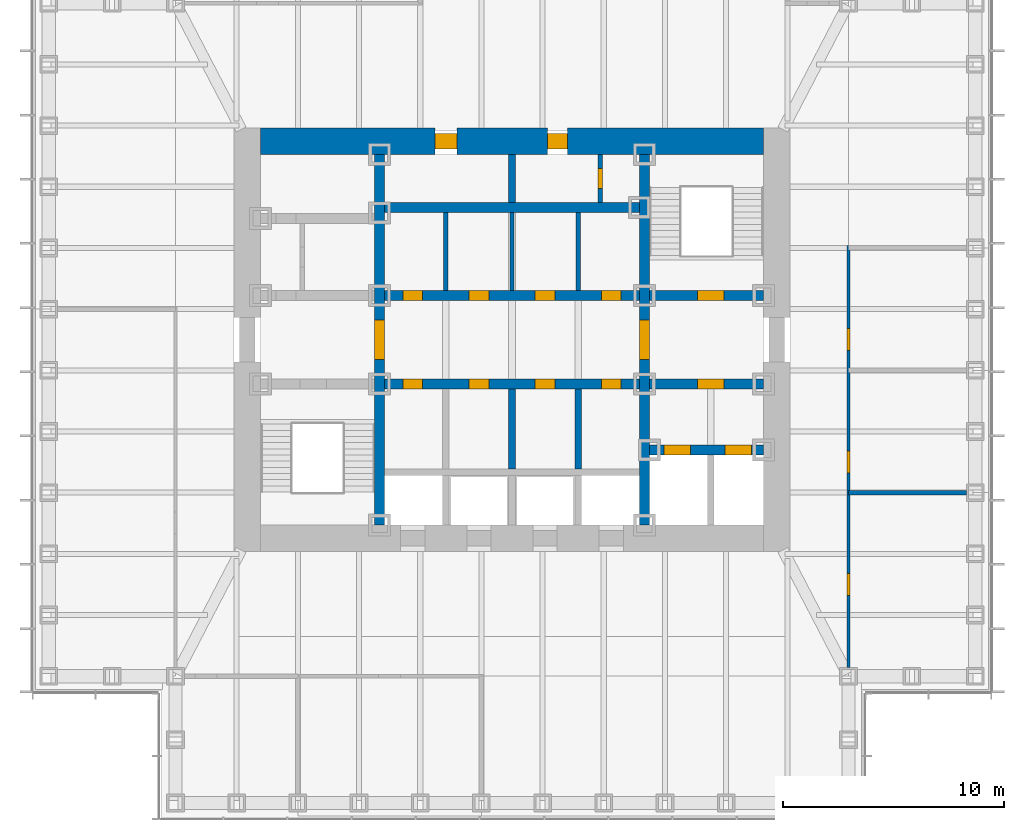
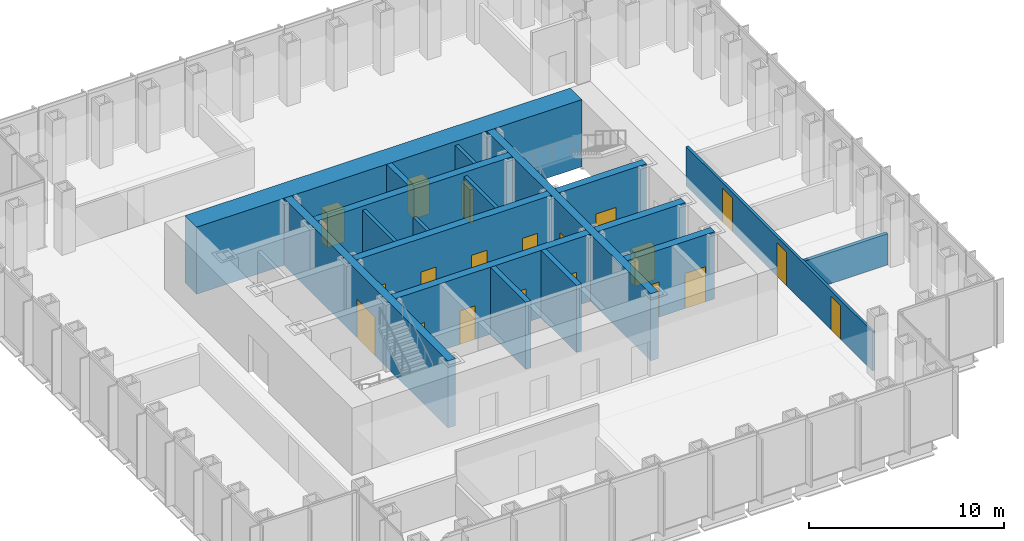
# One storey, part 9 of 16: 20 doors, 18 walls, 20 openings.
"""IFC4 building model written with IfcOpenShell, lengths in metres."""

from ifc_helpers import new_model, si_unit, direction, frame, frame_2d, origin, place, context, subcontext, project, spatial, rectangle, extrude, material, layer, layer_set, type_object, element, fill, save


model = new_model("IFC4")

# Units and contexts
model_context = context("Model", 3, precision=1e-05, world=origin(), true_north=direction((0.0, 1.0)))
body_context = subcontext(model_context, "Body", "Model", "MODEL_VIEW")
ifc_project = project(units=[si_unit("LENGTHUNIT", "METRE"), si_unit("AREAUNIT", "SQUARE_METRE"), si_unit("VOLUMEUNIT", "CUBIC_METRE"), si_unit("PLANEANGLEUNIT", "RADIAN"), si_unit("MASSUNIT", "GRAM", prefix="KILO")], contexts=[model_context])

# Site, building, storey
site_placement = place(None, origin())
site = spatial("IfcSite", under=ifc_project, at=site_placement, CompositionType="ELEMENT")
building_placement = place(site_placement, origin())
building = spatial("IfcBuilding", under=site, at=building_placement, Name="Daluyong Arena Tower", CompositionType="ELEMENT")
storey_placement = place(building_placement, frame((0.0, 0.0, 275.5)))
storey = spatial("IfcBuildingStorey", under=building, at=storey_placement, Name="L62", CompositionType="ELEMENT", Elevation=275.5)

# Wall, opening, door
ifc_material_1 = material(Name="Concrete fc' 45 MPa", Category="concrete")
ifc_layer_1 = layer(ifc_material_1, 0.449951171875)
ifc_layer_set_1 = layer_set([ifc_layer_1], Name="Concrete fc' 45 MPa")
wall_type_1 = type_object("IfcWallType", Name="Core inner wall 450", PredefinedType="SHEAR", material=ifc_layer_set_1)
wall_1_placement = place(storey_placement, frame((50.0, 71.60009765625, 0.0), z_axis=(0.0, 0.0, 1.0), x_axis=(0.0, 1.0, 0.0)))
wall_1 = element("IfcWall", 1, at=wall_1_placement, inside=storey, type_object=wall_type_1, Name="core inner wall at L62", PredefinedType="SHEAR", context=body_context, shape_type="SweptSolid", body=[
    extrude(rectangle(XDim=16.7998046875, YDim=0.449951171875, at=frame_2d((8.39990234375, 0.0))), origin(), (0.0, 0.0, 1.0), 4.199951171875),
])
opening_1_placement = place(wall_1_placement, frame((7.5, 0.0, 0.0)))
opening_1 = element("IfcOpeningElement", 2, at=opening_1_placement, cuts=wall_1, Name="Opening 62019", PredefinedType="OPENING", context=body_context, shape_type="SweptSolid", body=[
    extrude(rectangle(XDim=1.800048828125, YDim=2.39990234375, at=frame_2d((0.89990234375, 1.199951171875))), frame((0.0, 0.23486328125, 0.0), z_axis=(0.0, -1.0, 0.0), x_axis=(1.0, 0.0, 0.0)), (0.0, 0.0, 1.0), 0.469970703125),
])
ifc_material_2 = material(Name="Steel door, fire rated", Category="steel")
door_type_1 = type_object("IfcDoorType", Name="Lift lobby opening door 1800", OperationType="DOUBLE_DOOR_SINGLE_SWING", PredefinedType="DOOR", material=ifc_material_2)
door_1_placement = place(opening_1_placement, origin())
door_1 = element("IfcDoor", 3, at=door_1_placement, inside=storey, type_object=door_type_1, Name="lift lobby door west 62019", OperationType="DOUBLE_DOOR_SINGLE_SWING", OverallHeight=2.39990234375, OverallWidth=1.800048828125, PredefinedType="DOOR", context=body_context, shape_type="SweptSolid", body=[
    extrude(rectangle(XDim=1.800048828125, YDim=2.39990234375, at=frame_2d((0.89990234375, 1.199951171875))), frame((0.0, 0.224609375, 0.0), z_axis=(0.0, -1.0, 0.0), x_axis=(1.0, 0.0, 0.0)), (0.0, 0.0, 1.0), 0.449462890625),
])
fill(opening_1, door_1)

wall_2_placement = place(storey_placement, frame((62.0, 71.60009765625, 0.0), z_axis=(0.0, 0.0, 1.0), x_axis=(0.0, 1.0, 0.0)))
wall_2 = element("IfcWall", 4, at=wall_2_placement, inside=storey, type_object=wall_type_1, Name="core inner wall at L62", PredefinedType="SHEAR", context=body_context, shape_type="SweptSolid", body=[
    extrude(rectangle(XDim=16.7998046875, YDim=0.449951171875, at=frame_2d((8.39990234375, 0.0))), origin(), (0.0, 0.0, 1.0), 4.199951171875),
])
opening_2_placement = place(wall_2_placement, frame((7.5, 0.0, 0.0)))
opening_2 = element("IfcOpeningElement", 5, at=opening_2_placement, cuts=wall_2, Name="Opening 62020", PredefinedType="OPENING", context=body_context, shape_type="SweptSolid", body=[
    extrude(rectangle(XDim=1.800048828125, YDim=2.39990234375, at=frame_2d((0.89990234375, 1.199951171875))), frame((0.0, 0.23486328125, 0.0), z_axis=(0.0, -1.0, 0.0), x_axis=(1.0, 0.0, 0.0)), (0.0, 0.0, 1.0), 0.469970703125),
])
door_2_placement = place(opening_2_placement, origin())
door_2 = element("IfcDoor", 6, at=door_2_placement, inside=storey, type_object=door_type_1, Name="lift lobby door east 62020", OperationType="DOUBLE_DOOR_SINGLE_SWING", OverallHeight=2.39990234375, OverallWidth=1.800048828125, PredefinedType="DOOR", context=body_context, shape_type="SweptSolid", body=[
    extrude(rectangle(XDim=1.800048828125, YDim=2.39990234375, at=frame_2d((0.89990234375, 1.199951171875))), frame((0.0, 0.224609375, 0.0), z_axis=(0.0, -1.0, 0.0), x_axis=(1.0, 0.0, 0.0)), (0.0, 0.0, 1.0), 0.449462890625),
])
fill(opening_2, door_2)

# Wall, openings, doors
wall_3_placement = place(storey_placement, frame((62.22509765625, 75.0, 0.0), z_axis=(0.0, 0.0, 1.0), x_axis=(1.0, 0.0, 0.0)))
wall_3 = element("IfcWall", 7, at=wall_3_placement, inside=storey, type_object=wall_type_1, Name="core inner wall at L62", PredefinedType="SHEAR", context=body_context, shape_type="SweptSolid", body=[
    extrude(rectangle(XDim=5.1748046875, YDim=0.449951171875, at=frame_2d((2.58740234375, 0.0))), origin(), (0.0, 0.0, 1.0), 4.199951171875),
])
opening_3_placement = place(wall_3_placement, frame((0.675048828125, 0.0, 0.0)))
opening_3 = element("IfcOpeningElement", 8, at=opening_3_placement, cuts=wall_3, Name="Opening 62026", PredefinedType="OPENING", context=body_context, shape_type="SweptSolid", body=[
    extrude(rectangle(XDim=1.199951171875, YDim=2.199951171875, at=frame_2d((0.60009765625, 1.10009765625))), frame((0.0, 0.23486328125, 0.0), z_axis=(0.0, -1.0, 0.0), x_axis=(1.0, 0.0, 0.0)), (0.0, 0.0, 1.0), 0.469970703125),
])
opening_4_placement = place(wall_3_placement, frame((3.425048828125, 0.0, 0.0)))
opening_4 = element("IfcOpeningElement", 9, at=opening_4_placement, cuts=wall_3, Name="Opening 62027", PredefinedType="OPENING", context=body_context, shape_type="SweptSolid", body=[
    extrude(rectangle(XDim=1.199951171875, YDim=2.199951171875, at=frame_2d((0.60009765625, 1.10009765625))), frame((0.0, 0.23486328125, 0.0), z_axis=(0.0, -1.0, 0.0), x_axis=(1.0, 0.0, 0.0)), (0.0, 0.0, 1.0), 0.469970703125),
])
ifc_material_3 = material(Name="Steel door, fire rated", Category="steel")
door_type_2 = type_object("IfcDoorType", Name="Firefighting lift landing door 1200", OperationType="SLIDING_TO_LEFT", PredefinedType="DOOR", material=ifc_material_3)
door_3_placement = place(opening_3_placement, origin())
door_3 = element("IfcDoor", 10, at=door_3_placement, inside=storey, type_object=door_type_2, Name="firefighting lift landing door F1 62026", OperationType="SLIDING_TO_LEFT", OverallHeight=2.199951171875, OverallWidth=1.199951171875, PredefinedType="DOOR", context=body_context, shape_type="SweptSolid", body=[
    extrude(rectangle(XDim=1.199951171875, YDim=2.199951171875, at=frame_2d((0.60009765625, 1.10009765625))), frame((0.0, 0.224609375, 0.0), z_axis=(0.0, -1.0, 0.0), x_axis=(1.0, 0.0, 0.0)), (0.0, 0.0, 1.0), 0.449462890625),
])
fill(opening_3, door_3)
door_4_placement = place(opening_4_placement, origin())
door_4 = element("IfcDoor", 11, at=door_4_placement, inside=storey, type_object=door_type_2, Name="firefighting lift landing door F2 62027", OperationType="SLIDING_TO_LEFT", OverallHeight=2.199951171875, OverallWidth=1.199951171875, PredefinedType="DOOR", context=body_context, shape_type="SweptSolid", body=[
    extrude(rectangle(XDim=1.199951171875, YDim=2.199951171875, at=frame_2d((0.60009765625, 1.10009765625))), frame((0.0, 0.224609375, 0.0), z_axis=(0.0, -1.0, 0.0), x_axis=(1.0, 0.0, 0.0)), (0.0, 0.0, 1.0), 0.449462890625),
])
fill(opening_4, door_4)

# Wall, opening, door
wall_4_placement = place(storey_placement, frame((62.22509765625, 78.0, 0.0), z_axis=(0.0, 0.0, 1.0), x_axis=(1.0, 0.0, 0.0)))
wall_4 = element("IfcWall", 12, at=wall_4_placement, inside=storey, type_object=wall_type_1, Name="core inner wall at L62", PredefinedType="SHEAR", context=body_context, shape_type="SweptSolid", body=[
    extrude(rectangle(XDim=5.1748046875, YDim=0.449951171875, at=frame_2d((2.58740234375, 0.0))), origin(), (0.0, 0.0, 1.0), 4.199951171875),
])
opening_5_placement = place(wall_4_placement, frame((2.175048828125, 0.0, 0.0)))
opening_5 = element("IfcOpeningElement", 13, at=opening_5_placement, cuts=wall_4, Name="Opening 62021", PredefinedType="OPENING", context=body_context, shape_type="SweptSolid", body=[
    extrude(rectangle(XDim=1.199951171875, YDim=2.10009765625, at=frame_2d((0.60009765625, 1.050048828125))), frame((0.0, 0.23486328125, 0.0), z_axis=(0.0, -1.0, 0.0), x_axis=(1.0, 0.0, 0.0)), (0.0, 0.0, 1.0), 0.469970703125),
])
ifc_material_4 = material(Name="Steel door, fire rated", Category="steel")
door_type_3 = type_object("IfcDoorType", Name="Firefighting lobby door 1200", OperationType="SINGLE_SWING_RIGHT", PredefinedType="DOOR", material=ifc_material_4)
door_5_placement = place(opening_5_placement, origin())
door_5 = element("IfcDoor", 14, at=door_5_placement, inside=storey, type_object=door_type_3, Name="firefighting lobby door 62021", OperationType="SINGLE_SWING_RIGHT", OverallHeight=2.10009765625, OverallWidth=1.199951171875, PredefinedType="DOOR", context=body_context, shape_type="SweptSolid", body=[
    extrude(rectangle(XDim=1.199951171875, YDim=2.10009765625, at=frame_2d((0.60009765625, 1.050048828125))), frame((0.0, 0.224609375, 0.0), z_axis=(0.0, -1.0, 0.0), x_axis=(1.0, 0.0, 0.0)), (0.0, 0.0, 1.0), 0.449462890625),
])
fill(opening_5, door_5)

wall_5_placement = place(storey_placement, frame((62.22509765625, 82.0, 0.0), z_axis=(0.0, 0.0, 1.0), x_axis=(1.0, 0.0, 0.0)))
wall_5 = element("IfcWall", 15, at=wall_5_placement, inside=storey, type_object=wall_type_1, Name="core inner wall at L62", PredefinedType="SHEAR", context=body_context, shape_type="SweptSolid", body=[
    extrude(rectangle(XDim=5.1748046875, YDim=0.449951171875, at=frame_2d((2.58740234375, 0.0))), origin(), (0.0, 0.0, 1.0), 4.199951171875),
])
opening_6_placement = place(wall_5_placement, frame((2.175048828125, 0.0, 0.0)))
opening_6 = element("IfcOpeningElement", 16, at=opening_6_placement, cuts=wall_5, Name="Opening 62016", PredefinedType="OPENING", context=body_context, shape_type="SweptSolid", body=[
    extrude(rectangle(XDim=1.199951171875, YDim=2.10009765625, at=frame_2d((0.60009765625, 1.050048828125))), frame((0.0, 0.23486328125, 0.0), z_axis=(0.0, -1.0, 0.0), x_axis=(1.0, 0.0, 0.0)), (0.0, 0.0, 1.0), 0.469970703125),
])
ifc_material_5 = material(Name="Steel door, fire rated", Category="steel")
door_type_4 = type_object("IfcDoorType", Name="Stair door 1200", OperationType="SINGLE_SWING_LEFT", PredefinedType="DOOR", material=ifc_material_5)
door_6_placement = place(opening_6_placement, origin())
door_6 = element("IfcDoor", 17, at=door_6_placement, inside=storey, type_object=door_type_4, Name="stair B door 62016", OperationType="SINGLE_SWING_LEFT", OverallHeight=2.10009765625, OverallWidth=1.199951171875, PredefinedType="DOOR", context=body_context, shape_type="SweptSolid", body=[
    extrude(rectangle(XDim=1.199951171875, YDim=2.10009765625, at=frame_2d((0.60009765625, 1.050048828125))), frame((0.0, 0.224609375, 0.0), z_axis=(0.0, -1.0, 0.0), x_axis=(1.0, 0.0, 0.0)), (0.0, 0.0, 1.0), 0.449462890625),
])
fill(opening_6, door_6)

# Wall, openings, doors
wall_6_placement = place(storey_placement, frame((50.22509765625, 78.0, 0.0), z_axis=(0.0, 0.0, 1.0), x_axis=(1.0, 0.0, 0.0)))
wall_6 = element("IfcWall", 18, at=wall_6_placement, inside=storey, type_object=wall_type_1, Name="core inner wall at L62", PredefinedType="SHEAR", context=body_context, shape_type="SweptSolid", body=[
    extrude(rectangle(XDim=11.5498046875, YDim=0.449951171875, at=frame_2d((5.77490234375, 0.0))), origin(), (0.0, 0.0, 1.0), 4.199951171875),
])
opening_7_placement = place(wall_6_placement, frame((0.824951171875, 0.0, 0.0)))
opening_7 = element("IfcOpeningElement", 19, at=opening_7_placement, cuts=wall_6, Name="Opening 62007", PredefinedType="OPENING", context=body_context, shape_type="SweptSolid", body=[
    extrude(rectangle(XDim=0.89990234375, YDim=2.10009765625, at=frame_2d((0.449951171875, 1.050048828125))), frame((0.0, 0.23486328125, 0.0), z_axis=(0.0, -1.0, 0.0), x_axis=(1.0, 0.0, 0.0)), (0.0, 0.0, 1.0), 0.469970703125),
])
opening_8_placement = place(wall_6_placement, frame((3.824951171875, 0.0, 0.0)))
opening_8 = element("IfcOpeningElement", 20, at=opening_8_placement, cuts=wall_6, Name="Opening 62008", PredefinedType="OPENING", context=body_context, shape_type="SweptSolid", body=[
    extrude(rectangle(XDim=0.89990234375, YDim=2.10009765625, at=frame_2d((0.449951171875, 1.050048828125))), frame((0.0, 0.23486328125, 0.0), z_axis=(0.0, -1.0, 0.0), x_axis=(1.0, 0.0, 0.0)), (0.0, 0.0, 1.0), 0.469970703125),
])
opening_9_placement = place(wall_6_placement, frame((6.824951171875, 0.0, 0.0)))
opening_9 = element("IfcOpeningElement", 21, at=opening_9_placement, cuts=wall_6, Name="Opening 62009", PredefinedType="OPENING", context=body_context, shape_type="SweptSolid", body=[
    extrude(rectangle(XDim=0.89990234375, YDim=2.10009765625, at=frame_2d((0.449951171875, 1.050048828125))), frame((0.0, 0.23486328125, 0.0), z_axis=(0.0, -1.0, 0.0), x_axis=(1.0, 0.0, 0.0)), (0.0, 0.0, 1.0), 0.469970703125),
])
opening_10_placement = place(wall_6_placement, frame((9.824951171875, 0.0, 0.0)))
opening_10 = element("IfcOpeningElement", 22, at=opening_10_placement, cuts=wall_6, Name="Opening 62010", PredefinedType="OPENING", context=body_context, shape_type="SweptSolid", body=[
    extrude(rectangle(XDim=0.89990234375, YDim=2.10009765625, at=frame_2d((0.449951171875, 1.050048828125))), frame((0.0, 0.23486328125, 0.0), z_axis=(0.0, -1.0, 0.0), x_axis=(1.0, 0.0, 0.0)), (0.0, 0.0, 1.0), 0.469970703125),
])
ifc_material_6 = material(Name="Steel door, fire rated", Category="steel")
door_type_5 = type_object("IfcDoorType", Name="Core room door 900", OperationType="SINGLE_SWING_LEFT", PredefinedType="DOOR", material=ifc_material_6)
door_7_placement = place(opening_7_placement, origin())
door_7 = element("IfcDoor", 23, at=door_7_placement, inside=storey, type_object=door_type_5, Name="print room door 62007", OperationType="SINGLE_SWING_LEFT", OverallHeight=2.10009765625, OverallWidth=0.89990234375, PredefinedType="DOOR", context=body_context, shape_type="SweptSolid", body=[
    extrude(rectangle(XDim=0.89990234375, YDim=2.10009765625, at=frame_2d((0.449951171875, 1.050048828125))), frame((0.0, 0.224609375, 0.0), z_axis=(0.0, -1.0, 0.0), x_axis=(1.0, 0.0, 0.0)), (0.0, 0.0, 1.0), 0.449462890625),
])
fill(opening_7, door_7)
door_8_placement = place(opening_10_placement, origin())
door_8 = element("IfcDoor", 24, at=door_8_placement, inside=storey, type_object=door_type_5, Name="tea point door 62010", OperationType="SINGLE_SWING_LEFT", OverallHeight=2.10009765625, OverallWidth=0.89990234375, PredefinedType="DOOR", context=body_context, shape_type="SweptSolid", body=[
    extrude(rectangle(XDim=0.89990234375, YDim=2.10009765625, at=frame_2d((0.449951171875, 1.050048828125))), frame((0.0, 0.224609375, 0.0), z_axis=(0.0, -1.0, 0.0), x_axis=(1.0, 0.0, 0.0)), (0.0, 0.0, 1.0), 0.449462890625),
])
fill(opening_10, door_8)
ifc_material_7 = material(Name="Steel door, fire rated", Category="steel")
door_type_6 = type_object("IfcDoorType", Name="Core store door 900", OperationType="SINGLE_SWING_LEFT", PredefinedType="DOOR", material=ifc_material_7)
door_9_placement = place(opening_8_placement, origin())
door_9 = element("IfcDoor", 25, at=door_9_placement, inside=storey, type_object=door_type_6, Name="furniture store door 62008", OperationType="SINGLE_SWING_LEFT", OverallHeight=2.10009765625, OverallWidth=0.89990234375, PredefinedType="DOOR", context=body_context, shape_type="SweptSolid", body=[
    extrude(rectangle(XDim=0.89990234375, YDim=2.10009765625, at=frame_2d((0.449951171875, 1.050048828125))), frame((0.0, 0.224609375, 0.0), z_axis=(0.0, -1.0, 0.0), x_axis=(1.0, 0.0, 0.0)), (0.0, 0.0, 1.0), 0.449462890625),
])
fill(opening_8, door_9)
door_10_placement = place(opening_9_placement, origin())
door_10 = element("IfcDoor", 26, at=door_10_placement, inside=storey, type_object=door_type_6, Name="security store door 62009", OperationType="SINGLE_SWING_LEFT", OverallHeight=2.10009765625, OverallWidth=0.89990234375, PredefinedType="DOOR", context=body_context, shape_type="SweptSolid", body=[
    extrude(rectangle(XDim=0.89990234375, YDim=2.10009765625, at=frame_2d((0.449951171875, 1.050048828125))), frame((0.0, 0.224609375, 0.0), z_axis=(0.0, -1.0, 0.0), x_axis=(1.0, 0.0, 0.0)), (0.0, 0.0, 1.0), 0.449462890625),
])
fill(opening_9, door_10)

wall_7_placement = place(storey_placement, frame((50.22509765625, 82.0, 0.0), z_axis=(0.0, 0.0, 1.0), x_axis=(1.0, 0.0, 0.0)))
wall_7 = element("IfcWall", 27, at=wall_7_placement, inside=storey, type_object=wall_type_1, Name="core inner wall at L62", PredefinedType="SHEAR", context=body_context, shape_type="SweptSolid", body=[
    extrude(rectangle(XDim=11.5498046875, YDim=0.449951171875, at=frame_2d((5.77490234375, 0.0))), origin(), (0.0, 0.0, 1.0), 4.199951171875),
])
opening_11_placement = place(wall_7_placement, frame((0.824951171875, 0.0, 0.0)))
opening_11 = element("IfcOpeningElement", 28, at=opening_11_placement, cuts=wall_7, Name="Opening 62011", PredefinedType="OPENING", context=body_context, shape_type="SweptSolid", body=[
    extrude(rectangle(XDim=0.89990234375, YDim=2.10009765625, at=frame_2d((0.449951171875, 1.050048828125))), frame((0.0, 0.23486328125, 0.0), z_axis=(0.0, -1.0, 0.0), x_axis=(1.0, 0.0, 0.0)), (0.0, 0.0, 1.0), 0.469970703125),
])
opening_12_placement = place(wall_7_placement, frame((3.824951171875, 0.0, 0.0)))
opening_12 = element("IfcOpeningElement", 29, at=opening_12_placement, cuts=wall_7, Name="Opening 62012", PredefinedType="OPENING", context=body_context, shape_type="SweptSolid", body=[
    extrude(rectangle(XDim=0.89990234375, YDim=2.10009765625, at=frame_2d((0.449951171875, 1.050048828125))), frame((0.0, 0.23486328125, 0.0), z_axis=(0.0, -1.0, 0.0), x_axis=(1.0, 0.0, 0.0)), (0.0, 0.0, 1.0), 0.469970703125),
])
opening_13_placement = place(wall_7_placement, frame((6.824951171875, 0.0, 0.0)))
opening_13 = element("IfcOpeningElement", 30, at=opening_13_placement, cuts=wall_7, Name="Opening 62013", PredefinedType="OPENING", context=body_context, shape_type="SweptSolid", body=[
    extrude(rectangle(XDim=0.89990234375, YDim=2.10009765625, at=frame_2d((0.449951171875, 1.050048828125))), frame((0.0, 0.23486328125, 0.0), z_axis=(0.0, -1.0, 0.0), x_axis=(1.0, 0.0, 0.0)), (0.0, 0.0, 1.0), 0.469970703125),
])
opening_14_placement = place(wall_7_placement, frame((9.824951171875, 0.0, 0.0)))
opening_14 = element("IfcOpeningElement", 31, at=opening_14_placement, cuts=wall_7, Name="Opening 62014", PredefinedType="OPENING", context=body_context, shape_type="SweptSolid", body=[
    extrude(rectangle(XDim=0.89990234375, YDim=2.10009765625, at=frame_2d((0.449951171875, 1.050048828125))), frame((0.0, 0.23486328125, 0.0), z_axis=(0.0, -1.0, 0.0), x_axis=(1.0, 0.0, 0.0)), (0.0, 0.0, 1.0), 0.469970703125),
])
door_11_placement = place(opening_11_placement, origin())
door_11 = element("IfcDoor", 32, at=door_11_placement, inside=storey, type_object=door_type_5, Name="mail room door 62011", OperationType="SINGLE_SWING_LEFT", OverallHeight=2.10009765625, OverallWidth=0.89990234375, PredefinedType="DOOR", context=body_context, shape_type="SweptSolid", body=[
    extrude(rectangle(XDim=0.89990234375, YDim=2.10009765625, at=frame_2d((0.449951171875, 1.050048828125))), frame((0.0, 0.224609375, 0.0), z_axis=(0.0, -1.0, 0.0), x_axis=(1.0, 0.0, 0.0)), (0.0, 0.0, 1.0), 0.449462890625),
])
fill(opening_11, door_11)
door_12_placement = place(opening_13_placement, origin())
door_12 = element("IfcDoor", 33, at=door_12_placement, inside=storey, type_object=door_type_5, Name="vending room door 62013", OperationType="SINGLE_SWING_LEFT", OverallHeight=2.10009765625, OverallWidth=0.89990234375, PredefinedType="DOOR", context=body_context, shape_type="SweptSolid", body=[
    extrude(rectangle(XDim=0.89990234375, YDim=2.10009765625, at=frame_2d((0.449951171875, 1.050048828125))), frame((0.0, 0.224609375, 0.0), z_axis=(0.0, -1.0, 0.0), x_axis=(1.0, 0.0, 0.0)), (0.0, 0.0, 1.0), 0.449462890625),
])
fill(opening_13, door_12)
door_13_placement = place(opening_12_placement, origin())
door_13 = element("IfcDoor", 34, at=door_13_placement, inside=storey, type_object=door_type_6, Name="tenant store door 62012", OperationType="SINGLE_SWING_LEFT", OverallHeight=2.10009765625, OverallWidth=0.89990234375, PredefinedType="DOOR", context=body_context, shape_type="SweptSolid", body=[
    extrude(rectangle(XDim=0.89990234375, YDim=2.10009765625, at=frame_2d((0.449951171875, 1.050048828125))), frame((0.0, 0.224609375, 0.0), z_axis=(0.0, -1.0, 0.0), x_axis=(1.0, 0.0, 0.0)), (0.0, 0.0, 1.0), 0.449462890625),
])
fill(opening_12, door_13)
door_14_placement = place(opening_14_placement, origin())
door_14 = element("IfcDoor", 35, at=door_14_placement, inside=storey, type_object=door_type_6, Name="stationery store door 62014", OperationType="SINGLE_SWING_LEFT", OverallHeight=2.10009765625, OverallWidth=0.89990234375, PredefinedType="DOOR", context=body_context, shape_type="SweptSolid", body=[
    extrude(rectangle(XDim=0.89990234375, YDim=2.10009765625, at=frame_2d((0.449951171875, 1.050048828125))), frame((0.0, 0.224609375, 0.0), z_axis=(0.0, -1.0, 0.0), x_axis=(1.0, 0.0, 0.0)), (0.0, 0.0, 1.0), 0.449462890625),
])
fill(opening_14, door_14)

# Wall
wall_8_placement = place(storey_placement, frame((50.22509765625, 86.0, 0.0), z_axis=(0.0, 0.0, 1.0), x_axis=(1.0, 0.0, 0.0)))
element("IfcWall", 36, at=wall_8_placement, inside=storey, type_object=wall_type_1, Name="core inner wall at L62", PredefinedType="SHEAR", context=body_context, shape_type="SweptSolid", body=[
    extrude(rectangle(XDim=11.5498046875, YDim=0.449951171875, at=frame_2d((5.77490234375, 0.0))), origin(), (0.0, 0.0, 1.0), 4.199951171875),
])

# Wall, openings, doors
ifc_material_8 = material(Name="Concrete fc' 60 MPa", Category="concrete")
ifc_layer_2 = layer(ifc_material_8, 1.199951171875)
ifc_layer_set_2 = layer_set([ifc_layer_2], Name="Concrete fc' 60 MPa")
wall_type_2 = type_object("IfcWallType", Name="Core wall 1200", PredefinedType="SHEAR", material=ifc_layer_set_2)
wall_9_placement = place(storey_placement, frame((44.60009765625, 89.0, 0.0), z_axis=(0.0, 0.0, 1.0), x_axis=(1.0, 0.0, 0.0)))
wall_9 = element("IfcWall", 37, at=wall_9_placement, inside=storey, type_object=wall_type_2, Name="core wall at L62", PredefinedType="SHEAR", context=body_context, shape_type="SweptSolid", body=[
    extrude(rectangle(XDim=22.7998046875, YDim=1.199951171875, at=frame_2d((11.39990234375, 0.0))), origin(), (0.0, 0.0, 1.0), 4.199951171875),
])
opening_15_placement = place(wall_9_placement, frame((7.89990234375, 0.0, 0.0)))
opening_15 = element("IfcOpeningElement", 38, at=opening_15_placement, cuts=wall_9, Name="Opening 62004", PredefinedType="OPENING", context=body_context, shape_type="SweptSolid", body=[
    extrude(rectangle(XDim=1.0, YDim=2.10009765625, at=frame_2d((0.5, 1.050048828125))), frame((0.0, 0.60986328125, 0.0), z_axis=(0.0, -1.0, 0.0), x_axis=(1.0, 0.0, 0.0)), (0.0, 0.0, 1.0), 1.219970703125),
])
opening_16_placement = place(wall_9_placement, frame((13.012451171875, 0.0, 0.0)))
opening_16 = element("IfcOpeningElement", 39, at=opening_16_placement, cuts=wall_9, Name="Opening 62005", PredefinedType="OPENING", context=body_context, shape_type="SweptSolid", body=[
    extrude(rectangle(XDim=0.89990234375, YDim=2.10009765625, at=frame_2d((0.449951171875, 1.050048828125))), frame((0.0, 0.60986328125, 0.0), z_axis=(0.0, -1.0, 0.0), x_axis=(1.0, 0.0, 0.0)), (0.0, 0.0, 1.0), 1.219970703125),
])
ifc_material_9 = material(Name="Timber door", Category="wood")
door_type_7 = type_object("IfcDoorType", Name="Accessible toilet door 1000", OperationType="SINGLE_SWING_LEFT", PredefinedType="DOOR", material=ifc_material_9)
door_15_placement = place(opening_15_placement, origin())
door_15 = element("IfcDoor", 40, at=door_15_placement, inside=storey, type_object=door_type_7, Name="accessible toilet door 62004", OperationType="SINGLE_SWING_LEFT", OverallHeight=2.10009765625, OverallWidth=1.0, PredefinedType="DOOR", context=body_context, shape_type="SweptSolid", body=[
    extrude(rectangle(XDim=1.0, YDim=2.10009765625, at=frame_2d((0.5, 1.050048828125))), frame((0.0, 0.35009765625, 0.0), z_axis=(0.0, -1.0, 0.0), x_axis=(1.0, 0.0, 0.0)), (0.0, 0.0, 1.0), 0.699951171875),
])
fill(opening_15, door_15)
door_16_placement = place(opening_16_placement, origin())
door_16 = element("IfcDoor", 41, at=door_16_placement, inside=storey, type_object=door_type_6, Name="cleaner's store door 62005", OperationType="SINGLE_SWING_LEFT", OverallHeight=2.10009765625, OverallWidth=0.89990234375, PredefinedType="DOOR", context=body_context, shape_type="SweptSolid", body=[
    extrude(rectangle(XDim=0.89990234375, YDim=2.10009765625, at=frame_2d((0.449951171875, 1.050048828125))), frame((0.0, 0.35009765625, 0.0), z_axis=(0.0, -1.0, 0.0), x_axis=(1.0, 0.0, 0.0)), (0.0, 0.0, 1.0), 0.699951171875),
])
fill(opening_16, door_16)

# Wall, opening, door
ifc_material_10 = material(Name="Concrete block partition, fire rated", Category="concrete")
ifc_layer_3 = layer(ifc_material_10, 0.199951171875)
ifc_layer_set_3 = layer_set([ifc_layer_3], Name="Concrete block partition, fire rated")
wall_type_3 = type_object("IfcWallType", Name="Fire-rated partition 200", PredefinedType="PARTITIONING", material=ifc_layer_set_3)
wall_10_placement = place(storey_placement, frame((60.0, 86.22509765625, 0.0), z_axis=(0.0, 0.0, 1.0), x_axis=(0.0, 1.0, 0.0)))
wall_10 = element("IfcWall", 42, at=wall_10_placement, inside=storey, type_object=wall_type_3, Name="electrical riser enclosure at L62", PredefinedType="PARTITIONING", context=body_context, shape_type="SweptSolid", body=[
    extrude(rectangle(XDim=2.1748046875, YDim=0.199951171875, at=frame_2d((1.08740234375, 0.0))), origin(), (0.0, 0.0, 1.0), 3.949951171875),
])
opening_17_placement = place(wall_10_placement, frame((0.637451171875, 0.0, 0.0)))
opening_17 = element("IfcOpeningElement", 43, at=opening_17_placement, cuts=wall_10, Name="Opening 62006", PredefinedType="OPENING", context=body_context, shape_type="SweptSolid", body=[
    extrude(rectangle(XDim=0.89990234375, YDim=2.10009765625, at=frame_2d((0.449951171875, 1.050048828125))), frame((0.0, 0.10986328125, 0.0), z_axis=(0.0, -1.0, 0.0), x_axis=(1.0, 0.0, 0.0)), (0.0, 0.0, 1.0), 0.219970703125),
])
ifc_material_11 = material(Name="Steel door, fire rated", Category="steel")
door_type_8 = type_object("IfcDoorType", Name="Riser door 900", OperationType="SINGLE_SWING_LEFT", PredefinedType="DOOR", material=ifc_material_11)
door_17_placement = place(opening_17_placement, origin())
door_17 = element("IfcDoor", 44, at=door_17_placement, inside=storey, type_object=door_type_8, Name="riser door 62006", OperationType="SINGLE_SWING_LEFT", OverallHeight=2.10009765625, OverallWidth=0.89990234375, PredefinedType="DOOR", context=body_context, shape_type="SweptSolid", body=[
    extrude(rectangle(XDim=0.89990234375, YDim=2.10009765625, at=frame_2d((0.449951171875, 1.050048828125))), frame((0.0, 0.099609375, 0.0), z_axis=(0.0, -1.0, 0.0), x_axis=(1.0, 0.0, 0.0)), (0.0, 0.0, 1.0), 0.199462890625),
])
fill(opening_17, door_17)

# Walls
wall_11_placement = place(storey_placement, frame((53.0, 82.22509765625, 0.0), z_axis=(0.0, 0.0, 1.0), x_axis=(0.0, 1.0, 0.0)))
element("IfcWall", 45, at=wall_11_placement, inside=storey, type_object=wall_type_3, Name="core room partition at L62", PredefinedType="PARTITIONING", context=body_context, shape_type="SweptSolid", body=[
    extrude(rectangle(XDim=3.5498046875, YDim=0.199951171875, at=frame_2d((1.77490234375, 0.0))), origin(), (0.0, 0.0, 1.0), 3.949951171875),
])
wall_12_placement = place(storey_placement, frame((56.0, 82.22509765625, 0.0), z_axis=(0.0, 0.0, 1.0), x_axis=(0.0, 1.0, 0.0)))
element("IfcWall", 46, at=wall_12_placement, inside=storey, type_object=wall_type_3, Name="core room partition at L62", PredefinedType="PARTITIONING", context=body_context, shape_type="SweptSolid", body=[
    extrude(rectangle(XDim=3.5498046875, YDim=0.199951171875, at=frame_2d((1.77490234375, 0.0))), origin(), (0.0, 0.0, 1.0), 2.449951171875),
])
wall_13_placement = place(storey_placement, frame((59.0, 82.22509765625, 0.0), z_axis=(0.0, 0.0, 1.0), x_axis=(0.0, 1.0, 0.0)))
element("IfcWall", 47, at=wall_13_placement, inside=storey, type_object=wall_type_3, Name="core room partition at L62", PredefinedType="PARTITIONING", context=body_context, shape_type="SweptSolid", body=[
    extrude(rectangle(XDim=3.5498046875, YDim=0.199951171875, at=frame_2d((1.77490234375, 0.0))), origin(), (0.0, 0.0, 1.0), 3.949951171875),
])

# Wall, openings, doors
ifc_material_12 = material(Name="Glazed aluminium partition", Category="aluminium")
ifc_layer_4 = layer(ifc_material_12, 0.14990234375)
ifc_layer_set_4 = layer_set([ifc_layer_4], Name="Glazed aluminium partition")
wall_type_4 = type_object("IfcWallType", Name="Glazed partition 150", PredefinedType="PARTITIONING", material=ifc_layer_set_4)
wall_14_placement = place(storey_placement, frame((71.25, 65.14990234375, 0.0), z_axis=(0.0, 0.0, 1.0), x_axis=(0.0, 1.0, 0.0)))
wall_14 = element("IfcWall", 48, at=wall_14_placement, inside=storey, type_object=wall_type_4, Name="glazed partition at L62", PredefinedType="PARTITIONING", context=body_context, shape_type="SweptSolid", body=[
    extrude(rectangle(XDim=19.109130859375, YDim=0.14990234375, at=frame_2d((9.5546875, 0.0))), origin(), (0.0, 0.0, 1.0), 2.449951171875),
])
opening_18_placement = place(wall_14_placement, frame((3.259033203125, 0.0, 0.0)))
opening_18 = element("IfcOpeningElement", 49, at=opening_18_placement, cuts=wall_14, Name="Opening 62030", PredefinedType="OPENING", context=body_context, shape_type="SweptSolid", body=[
    extrude(rectangle(XDim=1.0, YDim=2.10009765625, at=frame_2d((0.5, 1.050048828125))), frame((0.0, 0.0849609375, 0.0), z_axis=(0.0, -1.0, 0.0), x_axis=(1.0, 0.0, 0.0)), (0.0, 0.0, 1.0), 0.169921875),
])
opening_19_placement = place(wall_14_placement, frame((8.804443359375, 0.0, 0.0)))
opening_19 = element("IfcOpeningElement", 50, at=opening_19_placement, cuts=wall_14, Name="Opening 62031", PredefinedType="OPENING", context=body_context, shape_type="SweptSolid", body=[
    extrude(rectangle(XDim=1.0, YDim=2.10009765625, at=frame_2d((0.5, 1.050048828125))), frame((0.0, 0.0849609375, 0.0), z_axis=(0.0, -1.0, 0.0), x_axis=(1.0, 0.0, 0.0)), (0.0, 0.0, 1.0), 0.169921875),
])
opening_20_placement = place(wall_14_placement, frame((14.35009765625, 0.0, 0.0)))
opening_20 = element("IfcOpeningElement", 51, at=opening_20_placement, cuts=wall_14, Name="Opening 62032", PredefinedType="OPENING", context=body_context, shape_type="SweptSolid", body=[
    extrude(rectangle(XDim=1.0, YDim=2.10009765625, at=frame_2d((0.5, 1.050048828125))), frame((0.0, 0.0849609375, 0.0), z_axis=(0.0, -1.0, 0.0), x_axis=(1.0, 0.0, 0.0)), (0.0, 0.0, 1.0), 0.169921875),
])
ifc_material_13 = material(Name="Timber door", Category="wood")
door_type_9 = type_object("IfcDoorType", Name="Room door 1000", OperationType="SINGLE_SWING_LEFT", PredefinedType="DOOR", material=ifc_material_13)
door_18_placement = place(opening_18_placement, origin())
door_18 = element("IfcDoor", 52, at=door_18_placement, inside=storey, type_object=door_type_9, Name="executive office door 62030", OperationType="SINGLE_SWING_LEFT", OverallHeight=2.10009765625, OverallWidth=1.0, PredefinedType="DOOR", context=body_context, shape_type="SweptSolid", body=[
    extrude(rectangle(XDim=1.0, YDim=2.10009765625, at=frame_2d((0.5, 1.050048828125))), frame((0.0, 0.07470703125, 0.0), z_axis=(0.0, -1.0, 0.0), x_axis=(1.0, 0.0, 0.0)), (0.0, 0.0, 1.0), 0.1494140625),
])
fill(opening_18, door_18)
door_19_placement = place(opening_19_placement, origin())
door_19 = element("IfcDoor", 53, at=door_19_placement, inside=storey, type_object=door_type_9, Name="executive office door 62031", OperationType="SINGLE_SWING_LEFT", OverallHeight=2.10009765625, OverallWidth=1.0, PredefinedType="DOOR", context=body_context, shape_type="SweptSolid", body=[
    extrude(rectangle(XDim=1.0, YDim=2.10009765625, at=frame_2d((0.5, 1.050048828125))), frame((0.0, 0.07470703125, 0.0), z_axis=(0.0, -1.0, 0.0), x_axis=(1.0, 0.0, 0.0)), (0.0, 0.0, 1.0), 0.1494140625),
])
fill(opening_19, door_19)
door_20_placement = place(opening_20_placement, origin())
door_20 = element("IfcDoor", 54, at=door_20_placement, inside=storey, type_object=door_type_9, Name="executive office door 62032", OperationType="SINGLE_SWING_LEFT", OverallHeight=2.10009765625, OverallWidth=1.0, PredefinedType="DOOR", context=body_context, shape_type="SweptSolid", body=[
    extrude(rectangle(XDim=1.0, YDim=2.10009765625, at=frame_2d((0.5, 1.050048828125))), frame((0.0, 0.07470703125, 0.0), z_axis=(0.0, -1.0, 0.0), x_axis=(1.0, 0.0, 0.0)), (0.0, 0.0, 1.0), 0.1494140625),
])
fill(opening_20, door_20)

# Walls
ifc_material_14 = material(Name="Concrete fc' 45 MPa", Category="concrete")
ifc_layer_5 = layer(ifc_material_14, 0.300048828125)
ifc_layer_set_5 = layer_set([ifc_layer_5], Name="Concrete fc' 45 MPa")
wall_type_5 = type_object("IfcWallType", Name="Lift shaft wall 300", PredefinedType="SHEAR", material=ifc_layer_set_5)
for number, where, z_axis, x_axis, name in (
    (55, (56.0, 74.14990234375, 0.0), (0.0, 0.0, 1.0), (0.0, 1.0, 0.0), "lift shaft wall at L62"),
    (56, (59.0, 74.14990234375, 0.0), (0.0, 0.0, 1.0), (0.0, 1.0, 0.0), "lift shaft wall at L62"),
):
    element("IfcWall", number, at=place(storey_placement, frame(where, z_axis=z_axis, x_axis=x_axis)), inside=storey, type_object=wall_type_5, Name=name, PredefinedType="SHEAR", context=body_context, shape_type="SweptSolid", body=[
        extrude(rectangle(XDim=3.625, YDim=0.300048828125, at=frame_2d((1.8125, 0.0))), origin(), (0.0, 0.0, 1.0), 4.199951171875),
    ])
wall_15_placement = place(storey_placement, frame((56.0, 86.22509765625, 0.0), z_axis=(0.0, 0.0, 1.0), x_axis=(0.0, 1.0, 0.0)))
element("IfcWall", 57, at=wall_15_placement, inside=storey, type_object=wall_type_5, Name="lift shaft wall at L62", PredefinedType="SHEAR", context=body_context, shape_type="SweptSolid", body=[
    extrude(rectangle(XDim=2.1748046875, YDim=0.300048828125, at=frame_2d((1.08740234375, 0.0))), origin(), (0.0, 0.0, 1.0), 4.199951171875),
])
ifc_material_15 = material(Name="Concrete block partition", Category="concrete")
ifc_layer_6 = layer(ifc_material_15, 0.199951171875)
ifc_layer_set_6 = layer_set([ifc_layer_6], Name="Concrete block partition")
wall_type_6 = type_object("IfcWallType", Name="Partition 200", PredefinedType="PARTITIONING", material=ifc_layer_set_6)
wall_16_placement = place(storey_placement, frame((71.25, 73.068115234375, 0.0), z_axis=(0.0, 0.0, 1.0), x_axis=(1.0, 0.0, 0.0)))
element("IfcWall", 58, at=wall_16_placement, inside=storey, type_object=wall_type_6, Name="partition at L62", PredefinedType="PARTITIONING", context=body_context, shape_type="SweptSolid", body=[
    extrude(rectangle(XDim=5.35009765625, YDim=0.199951171875, at=frame_2d((2.675048828125, 0.0))), origin(), (0.0, 0.0, 1.0), 1.949951171875),
])

save(model, "model.ifc")
